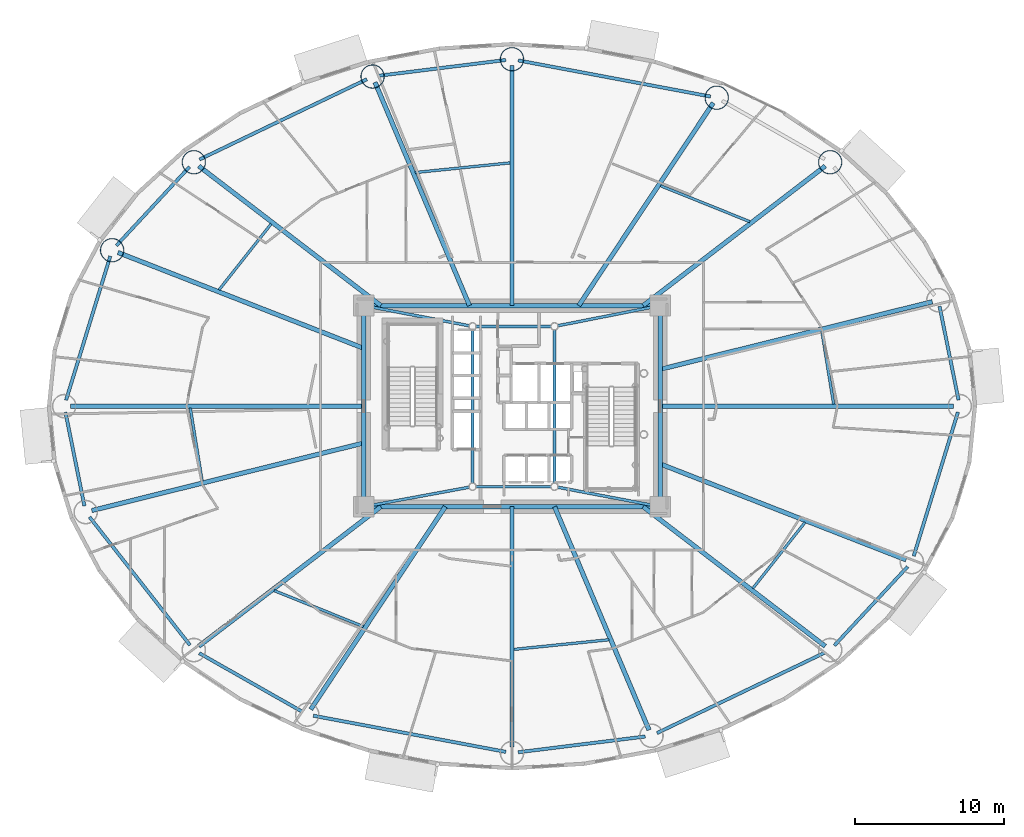
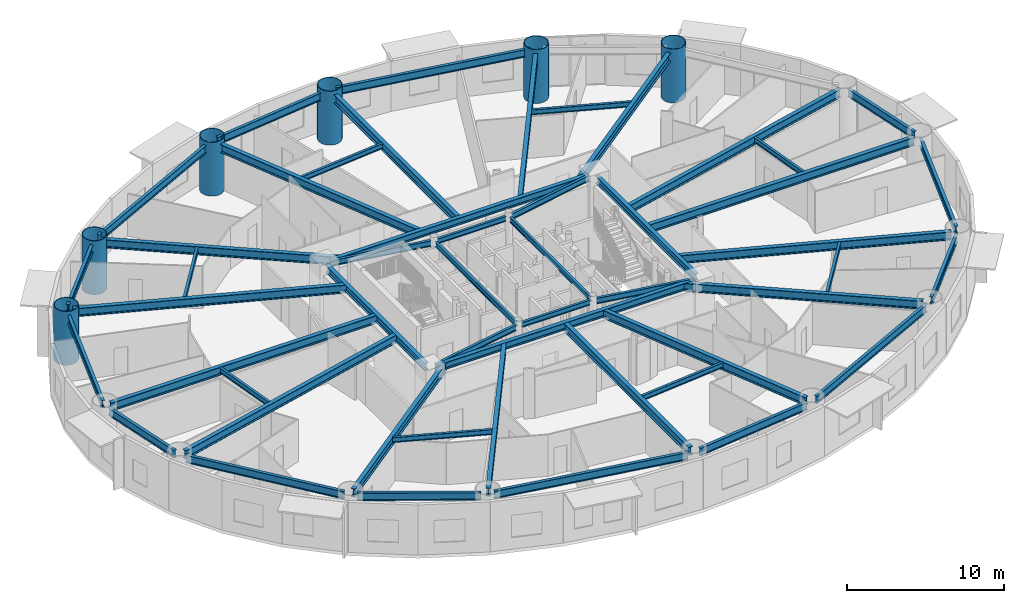
# One storey, part 3 of 21: 50 beams, 6 columns.
"""IFC4 building model written with IfcOpenShell, lengths in metres."""

from ifc_helpers import new_model, si_unit, direction, frame, origin, origin_2d, place, context, subcontext, project, spatial, hollow_circle, i_section, extrude, material, material_profile, profile_set, type_object, element, save


model = new_model("IFC4")

# Units and contexts
model_context = context("Model", 3, precision=1e-05, world=origin(), true_north=direction((0.0, 1.0)))
body_context = subcontext(model_context, "Body", "Model", "MODEL_VIEW")
ifc_project = project(units=[si_unit("LENGTHUNIT", "METRE"), si_unit("AREAUNIT", "SQUARE_METRE"), si_unit("VOLUMEUNIT", "CUBIC_METRE"), si_unit("PLANEANGLEUNIT", "RADIAN"), si_unit("MASSUNIT", "GRAM", prefix="KILO")], contexts=[model_context])

# Site, building, storey
site_placement = place(None, origin())
site = spatial("IfcSite", under=ifc_project, at=site_placement, CompositionType="ELEMENT")
building_placement = place(site_placement, origin())
building = spatial("IfcBuilding", under=site, at=building_placement, Name="Linh Dai School and Residence Tower", CompositionType="ELEMENT")
storey_placement = place(building_placement, frame((0.0, 0.0, 82.800048828125)))
storey = spatial("IfcBuildingStorey", under=building, at=storey_placement, Name="L19", CompositionType="ELEMENT", Elevation=82.800048828125)

# Columns
ifc_material = material(Name="Structural Steel S355JR", Category="steel")
ifc_material_profile_1 = material_profile(ifc_material, hollow_circle(Radius=0.800048828125, WallThickness=0.044921875, at=origin_2d()), Name="CHS 1600x45")
ifc_profile_set_1 = profile_set([ifc_material_profile_1], Name="Structural Steel S355JR")
column_type = type_object("IfcColumnType", Name="COL-MC2", PredefinedType="COLUMN", material=ifc_profile_set_1)
for number, where, z_axis, x_axis, name in (
    (1, (57.352783203125, 43.369140625, 0.0), (0.0, 0.0, 1.0), (1.0, 0.0, 0.0), "L19 Perimeter CFT Mega-Column MC03"),
    (2, (49.73828125, 47.69921875, 0.0), (0.0, 0.0, 1.0), (1.0, 0.0, 0.0), "L19 Perimeter CFT Mega-Column MC04"),
    (3, (36.0, 50.280029296875, 0.0), (0.0, 0.0, 1.0), (1.0, 0.0, 0.0), "L19 Perimeter CFT Mega-Column MC05"),
    (4, (26.642333984375, 49.119873046875, 0.0), (0.0, 0.0, 1.0), (1.0, 0.0, 0.0), "L19 Perimeter CFT Mega-Column MC06"),
    (5, (14.647216796875, 43.369140625, 0.0), (0.0, 0.0, 1.0), (1.0, 0.0, 0.0), "L19 Perimeter CFT Mega-Column MC07"),
    (6, (9.16455078125, 37.4638671875, 0.0), (0.0, 0.0, 1.0), (1.0, 0.0, 0.0), "L19 Perimeter CFT Mega-Column MC08"),
):
    element("IfcColumn", number, at=place(storey_placement, frame(where, z_axis=z_axis, x_axis=x_axis)), inside=storey, type_object=column_type, Name=name, PredefinedType="COLUMN", context=body_context, shape_type="SweptSolid", body=[
        extrude(hollow_circle(Radius=0.800048828125, WallThickness=0.044921875, at=origin_2d()), origin(), (0.0, 0.0, 1.0), 4.199951171875),
    ])

# Beams
ifc_material_profile_2 = material_profile(ifc_material, i_section(OverallWidth=0.219970703125, OverallDepth=0.60009765625, WebThickness=0.011962890625, FlangeThickness=0.01904296875, FilletRadius=0.02392578125, at=origin_2d()), Name="IPE 600")
ifc_profile_set_2 = profile_set([ifc_material_profile_2], Name="Structural Steel S355JR")
beam_type_1 = type_object("IfcBeamType", Name="BM-RB60", PredefinedType="BEAM", material=ifc_profile_set_2)
beam_1_placement = place(storey_placement, frame((65.966552734375, 27.41162109375, 3.599853515625), z_axis=(-0.198429171022, 0.980115230005, 0.0), x_axis=(-0.980115230005, -0.198429171022, 0.0)))
element("IfcBeam", 7, at=beam_1_placement, inside=storey, type_object=beam_type_1, Name="L19 Perimeter Elliptical Ring Beam 01", PredefinedType="BEAM", context=body_context, shape_type="SweptSolid", body=[
    extrude(i_section(OverallWidth=0.219970703125, OverallDepth=0.60009765625, WebThickness=0.011962890625, FlangeThickness=0.01904296875, FilletRadius=0.02392578125, at=origin_2d()), origin(), (0.0, 0.0, 1.0), 6.41259765625),
])
beam_2_placement = place(storey_placement, frame((49.32568359375, 47.776611328125, 3.599853515625), z_axis=(-0.982808389171, 0.184628465236, 0.0), x_axis=(-0.184628465236, -0.982808389171, 0.0)))
element("IfcBeam", 8, at=beam_2_placement, inside=storey, type_object=beam_type_1, Name="L19 Perimeter Elliptical Ring Beam 04", PredefinedType="BEAM", context=body_context, shape_type="SweptSolid", body=[
    extrude(i_section(OverallWidth=0.219970703125, OverallDepth=0.60009765625, WebThickness=0.011962890625, FlangeThickness=0.01904296875, FilletRadius=0.02392578125, at=origin_2d()), origin(), (0.0, 0.0, 1.0), 13.138671875),
])
beam_3_placement = place(storey_placement, frame((35.583251953125, 50.228271484375, 3.599853515625), z_axis=(-0.99240113372, -0.123044665842, 0.0), x_axis=(0.123044665842, -0.99240113372, 0.0)))
element("IfcBeam", 9, at=beam_3_placement, inside=storey, type_object=beam_type_1, Name="L19 Perimeter Elliptical Ring Beam 05", PredefinedType="BEAM", context=body_context, shape_type="SweptSolid", body=[
    extrude(i_section(OverallWidth=0.219970703125, OverallDepth=0.60009765625, WebThickness=0.011962890625, FlangeThickness=0.01904296875, FilletRadius=0.02392578125, at=origin_2d()), origin(), (0.0, 0.0, 1.0), 8.58935546875),
])
beam_4_placement = place(storey_placement, frame((26.263427734375, 48.938232421875, 3.599853515625), z_axis=(-0.901728693485, -0.432302398034, 0.0), x_axis=(0.432302398034, -0.901728693485, 0.0)))
element("IfcBeam", 10, at=beam_4_placement, inside=storey, type_object=beam_type_1, Name="L19 Perimeter Elliptical Ring Beam 06", PredefinedType="BEAM", context=body_context, shape_type="SweptSolid", body=[
    extrude(i_section(OverallWidth=0.219970703125, OverallDepth=0.60009765625, WebThickness=0.011962890625, FlangeThickness=0.01904296875, FilletRadius=0.02392578125, at=origin_2d()), origin(), (0.0, 0.0, 1.0), 12.462158203125),
])
beam_5_placement = place(storey_placement, frame((14.361572265625, 43.061279296875, 3.599853515625), z_axis=(-0.680408287194, -0.732833243458, 0.0), x_axis=(0.732833243458, -0.680408287194, 0.0)))
element("IfcBeam", 11, at=beam_5_placement, inside=storey, type_object=beam_type_1, Name="L19 Perimeter Elliptical Ring Beam 07", PredefinedType="BEAM", context=body_context, shape_type="SweptSolid", body=[
    extrude(i_section(OverallWidth=0.219970703125, OverallDepth=0.60009765625, WebThickness=0.011962890625, FlangeThickness=0.01904296875, FilletRadius=0.02392578125, at=origin_2d()), origin(), (0.0, 0.0, 1.0), 7.21826171875),
])
beam_6_placement = place(storey_placement, frame((9.041259765625, 37.062255859375, 3.599853515625), z_axis=(-0.293673329015, -0.95590584046, 0.0), x_axis=(0.95590584046, -0.293673329015, 0.0)))
element("IfcBeam", 12, at=beam_6_placement, inside=storey, type_object=beam_type_1, Name="L19 Perimeter Elliptical Ring Beam 08", PredefinedType="BEAM", context=body_context, shape_type="SweptSolid", body=[
    extrude(i_section(OverallWidth=0.219970703125, OverallDepth=0.60009765625, WebThickness=0.011962890625, FlangeThickness=0.01904296875, FilletRadius=0.02392578125, at=origin_2d()), origin(), (0.0, 0.0, 1.0), 10.1064453125),
])
beam_7_placement = place(storey_placement, frame((6.033447265625, 26.58837890625, 3.599853515625), z_axis=(0.198429171022, -0.980115230005, 0.0), x_axis=(0.980115230005, 0.198429171022, 0.0)))
element("IfcBeam", 13, at=beam_7_placement, inside=storey, type_object=beam_type_1, Name="L19 Perimeter Elliptical Ring Beam 09", PredefinedType="BEAM", context=body_context, shape_type="SweptSolid", body=[
    extrude(i_section(OverallWidth=0.219970703125, OverallDepth=0.60009765625, WebThickness=0.011962890625, FlangeThickness=0.01904296875, FilletRadius=0.02392578125, at=origin_2d()), origin(), (0.0, 0.0, 1.0), 6.41259765625),
])
beam_8_placement = place(storey_placement, frame((7.648193359375, 19.560791015625, 3.599853515625), z_axis=(0.616878670407, -0.787058260866, 0.0), x_axis=(0.787058260866, 0.616878670407, 0.0)))
element("IfcBeam", 14, at=beam_8_placement, inside=storey, type_object=beam_type_1, Name="L19 Perimeter Elliptical Ring Beam 10", PredefinedType="BEAM", context=body_context, shape_type="SweptSolid", body=[
    extrude(i_section(OverallWidth=0.219970703125, OverallDepth=0.60009765625, WebThickness=0.011962890625, FlangeThickness=0.01904296875, FilletRadius=0.02392578125, at=origin_2d()), origin(), (0.0, 0.0, 1.0), 10.926025390625),
])
beam_9_placement = place(storey_placement, frame((15.012451171875, 10.42333984375, 3.599853515625), z_axis=(0.869271416992, -0.494335112653, 0.0), x_axis=(0.494335112653, 0.869271416992, 0.0)))
element("IfcBeam", 15, at=beam_9_placement, inside=storey, type_object=beam_type_1, Name="L19 Perimeter Elliptical Ring Beam 11", PredefinedType="BEAM", context=body_context, shape_type="SweptSolid", body=[
    extrude(i_section(OverallWidth=0.219970703125, OverallDepth=0.60009765625, WebThickness=0.011962890625, FlangeThickness=0.01904296875, FilletRadius=0.02392578125, at=origin_2d()), origin(), (0.0, 0.0, 1.0), 7.91943359375),
])
beam_10_placement = place(storey_placement, frame((22.67431640625, 6.223388671875, 3.599853515625), z_axis=(0.982808389171, -0.184628465236, 0.0), x_axis=(0.184628465236, 0.982808389171, 0.0)))
element("IfcBeam", 16, at=beam_10_placement, inside=storey, type_object=beam_type_1, Name="L19 Perimeter Elliptical Ring Beam 12", PredefinedType="BEAM", context=body_context, shape_type="SweptSolid", body=[
    extrude(i_section(OverallWidth=0.219970703125, OverallDepth=0.60009765625, WebThickness=0.011962890625, FlangeThickness=0.01904296875, FilletRadius=0.02392578125, at=origin_2d()), origin(), (0.0, 0.0, 1.0), 13.138671875),
])
beam_11_placement = place(storey_placement, frame((36.416748046875, 3.771728515625, 3.599853515625), z_axis=(0.99240113372, 0.123044665842, 0.0), x_axis=(-0.123044665842, 0.99240113372, 0.0)))
element("IfcBeam", 17, at=beam_11_placement, inside=storey, type_object=beam_type_1, Name="L19 Perimeter Elliptical Ring Beam 13", PredefinedType="BEAM", context=body_context, shape_type="SweptSolid", body=[
    extrude(i_section(OverallWidth=0.219970703125, OverallDepth=0.60009765625, WebThickness=0.011962890625, FlangeThickness=0.01904296875, FilletRadius=0.02392578125, at=origin_2d()), origin(), (0.0, 0.0, 1.0), 8.58935546875),
])
beam_12_placement = place(storey_placement, frame((45.736572265625, 5.061767578125, 3.599853515625), z_axis=(0.901728693485, 0.432302398034, 0.0), x_axis=(-0.432302398034, 0.901728693485, 0.0)))
element("IfcBeam", 18, at=beam_12_placement, inside=storey, type_object=beam_type_1, Name="L19 Perimeter Elliptical Ring Beam 14", PredefinedType="BEAM", context=body_context, shape_type="SweptSolid", body=[
    extrude(i_section(OverallWidth=0.219970703125, OverallDepth=0.60009765625, WebThickness=0.011962890625, FlangeThickness=0.01904296875, FilletRadius=0.02392578125, at=origin_2d()), origin(), (0.0, 0.0, 1.0), 12.462158203125),
])
beam_13_placement = place(storey_placement, frame((57.638427734375, 10.938720703125, 3.599853515625), z_axis=(0.680408287194, 0.732833243458, 0.0), x_axis=(-0.732833243458, 0.680408287194, 0.0)))
element("IfcBeam", 19, at=beam_13_placement, inside=storey, type_object=beam_type_1, Name="L19 Perimeter Elliptical Ring Beam 15", PredefinedType="BEAM", context=body_context, shape_type="SweptSolid", body=[
    extrude(i_section(OverallWidth=0.219970703125, OverallDepth=0.60009765625, WebThickness=0.011962890625, FlangeThickness=0.01904296875, FilletRadius=0.02392578125, at=origin_2d()), origin(), (0.0, 0.0, 1.0), 7.21826171875),
])
beam_14_placement = place(storey_placement, frame((62.958740234375, 16.937744140625, 3.599853515625), z_axis=(0.293673329015, 0.95590584046, 0.0), x_axis=(-0.95590584046, 0.293673329015, 0.0)))
element("IfcBeam", 20, at=beam_14_placement, inside=storey, type_object=beam_type_1, Name="L19 Perimeter Elliptical Ring Beam 16", PredefinedType="BEAM", context=body_context, shape_type="SweptSolid", body=[
    extrude(i_section(OverallWidth=0.219970703125, OverallDepth=0.60009765625, WebThickness=0.011962890625, FlangeThickness=0.01904296875, FilletRadius=0.02392578125, at=origin_2d()), origin(), (0.0, 0.0, 1.0), 10.1064453125),
])
ifc_material_profile_3 = material_profile(ifc_material, i_section(OverallWidth=0.300048828125, OverallDepth=0.550048828125, WebThickness=0.014892578125, FlangeThickness=0.029052734375, FilletRadius=0.027099609375, at=origin_2d()), Name="HEB 550")
ifc_profile_set_3 = profile_set([ifc_material_profile_3], Name="Structural Steel S355JR")
beam_type_2 = type_object("IfcBeamType", Name="BM-RG55", PredefinedType="BEAM", material=ifc_profile_set_3)
beam_15_placement = place(storey_placement, frame((26.469970703125, 20.25, 3.625), z_axis=(1.0, 0.0, 0.0), x_axis=(0.0, 1.0, 0.0)))
element("IfcBeam", 21, at=beam_15_placement, inside=storey, type_object=beam_type_2, Name="L19 Core Perimeter Coupling Girder 1", PredefinedType="BEAM", context=body_context, shape_type="SweptSolid", body=[
    extrude(i_section(OverallWidth=0.300048828125, OverallDepth=0.550048828125, WebThickness=0.014892578125, FlangeThickness=0.029052734375, FilletRadius=0.027099609375, at=origin_2d()), origin(), (0.0, 0.0, 1.0), 19.06005859375),
])
beam_16_placement = place(storey_placement, frame((45.949951171875, 20.669921875, 3.625), z_axis=(0.0, 1.0, 0.0), x_axis=(-1.0, 0.0, 0.0)))
element("IfcBeam", 22, at=beam_16_placement, inside=storey, type_object=beam_type_2, Name="L19 Core Perimeter Coupling Girder 2", PredefinedType="BEAM", context=body_context, shape_type="SweptSolid", body=[
    extrude(i_section(OverallWidth=0.300048828125, OverallDepth=0.550048828125, WebThickness=0.014892578125, FlangeThickness=0.029052734375, FilletRadius=0.027099609375, at=origin_2d()), origin(), (0.0, 0.0, 1.0), 12.66015625),
])
beam_17_placement = place(storey_placement, frame((45.530029296875, 33.75, 3.625), z_axis=(-1.0, 0.0, 0.0), x_axis=(0.0, -1.0, 0.0)))
element("IfcBeam", 23, at=beam_17_placement, inside=storey, type_object=beam_type_2, Name="L19 Core Perimeter Coupling Girder 3", PredefinedType="BEAM", context=body_context, shape_type="SweptSolid", body=[
    extrude(i_section(OverallWidth=0.300048828125, OverallDepth=0.550048828125, WebThickness=0.014892578125, FlangeThickness=0.029052734375, FilletRadius=0.027099609375, at=origin_2d()), origin(), (0.0, 0.0, 1.0), 19.06005859375),
])
beam_18_placement = place(storey_placement, frame((26.050048828125, 33.330078125, 3.625), z_axis=(0.0, -1.0, 0.0), x_axis=(1.0, 0.0, 0.0)))
element("IfcBeam", 24, at=beam_18_placement, inside=storey, type_object=beam_type_2, Name="L19 Core Perimeter Coupling Girder 4", PredefinedType="BEAM", context=body_context, shape_type="SweptSolid", body=[
    extrude(i_section(OverallWidth=0.300048828125, OverallDepth=0.550048828125, WebThickness=0.014892578125, FlangeThickness=0.029052734375, FilletRadius=0.027099609375, at=origin_2d()), origin(), (0.0, 0.0, 1.0), 12.66015625),
])
ifc_material_profile_4 = material_profile(ifc_material, i_section(OverallWidth=0.300048828125, OverallDepth=0.64990234375, WebThickness=0.01611328125, FlangeThickness=0.031005859375, FilletRadius=0.027099609375, at=origin_2d()), Name="HEB 650")
ifc_profile_set_4 = profile_set([ifc_material_profile_4], Name="Structural Steel S355JR")
beam_type_3 = type_object("IfcBeamType", Name="BM-RG65", PredefinedType="BEAM", material=ifc_profile_set_4)
beam_19_placement = place(storey_placement, frame((45.949951171875, 27.0, 3.574951171875), z_axis=(1.0, 0.0, 0.0), x_axis=(0.0, 1.0, 0.0)))
element("IfcBeam", 25, at=beam_19_placement, inside=storey, type_object=beam_type_3, Name="L19 Primary Radial Floor Girder 01", PredefinedType="BEAM", context=body_context, shape_type="SweptSolid", body=[
    extrude(i_section(OverallWidth=0.300048828125, OverallDepth=0.64990234375, WebThickness=0.01611328125, FlangeThickness=0.031005859375, FilletRadius=0.027099609375, at=origin_2d()), origin(), (0.0, 0.0, 1.0), 19.679931640625),
])
beam_20_placement = place(storey_placement, frame((45.949951171875, 29.47216796875, 3.574951171875), z_axis=(0.970493481328, 0.241127357843, 0.0), x_axis=(-0.241127357843, 0.970493481328, 0.0)))
element("IfcBeam", 26, at=beam_20_placement, inside=storey, type_object=beam_type_3, Name="L19 Primary Radial Floor Girder 02", PredefinedType="BEAM", context=body_context, shape_type="SweptSolid", body=[
    extrude(i_section(OverallWidth=0.300048828125, OverallDepth=0.64990234375, WebThickness=0.01611328125, FlangeThickness=0.031005859375, FilletRadius=0.027099609375, at=origin_2d()), origin(), (0.0, 0.0, 1.0), 18.80810546875),
])
beam_21_placement = place(storey_placement, frame((44.804931640625, 33.75, 3.574951171875), z_axis=(0.793637764155, 0.608390581212, 0.0), x_axis=(-0.608390581212, 0.793637764155, 0.0)))
element("IfcBeam", 27, at=beam_21_placement, inside=storey, type_object=beam_type_3, Name="L19 Primary Radial Floor Girder 03", PredefinedType="BEAM", context=body_context, shape_type="SweptSolid", body=[
    extrude(i_section(OverallWidth=0.300048828125, OverallDepth=0.64990234375, WebThickness=0.01611328125, FlangeThickness=0.031005859375, FilletRadius=0.027099609375, at=origin_2d()), origin(), (0.0, 0.0, 1.0), 15.390625),
])
beam_22_placement = place(storey_placement, frame((40.47998046875, 33.75, 3.574951171875), z_axis=(0.55300421354, 0.833178456158, 0.0), x_axis=(-0.833178456158, 0.55300421354, 0.0)))
element("IfcBeam", 28, at=beam_22_placement, inside=storey, type_object=beam_type_3, Name="L19 Primary Radial Floor Girder 04", PredefinedType="BEAM", context=body_context, shape_type="SweptSolid", body=[
    extrude(i_section(OverallWidth=0.300048828125, OverallDepth=0.64990234375, WebThickness=0.01611328125, FlangeThickness=0.031005859375, FilletRadius=0.027099609375, at=origin_2d()), origin(), (0.0, 0.0, 1.0), 16.322021484375),
])
beam_23_placement = place(storey_placement, frame((36.0, 33.75, 3.574951171875), z_axis=(0.0, 1.0, 0.0), x_axis=(-1.0, 0.0, 0.0)))
element("IfcBeam", 29, at=beam_23_placement, inside=storey, type_object=beam_type_3, Name="L19 Primary Radial Floor Girder 05", PredefinedType="BEAM", context=body_context, shape_type="SweptSolid", body=[
    extrude(i_section(OverallWidth=0.300048828125, OverallDepth=0.64990234375, WebThickness=0.01611328125, FlangeThickness=0.031005859375, FilletRadius=0.027099609375, at=origin_2d()), origin(), (0.0, 0.0, 1.0), 16.110107421875),
])
beam_24_placement = place(storey_placement, frame((33.14453125, 33.75, 3.574951171875), z_axis=(-0.38962432485, 0.920973878829, 0.0), x_axis=(-0.920973878829, -0.38962432485, 0.0)))
element("IfcBeam", 30, at=beam_24_placement, inside=storey, type_object=beam_type_3, Name="L19 Primary Radial Floor Girder 06", PredefinedType="BEAM", context=body_context, shape_type="SweptSolid", body=[
    extrude(i_section(OverallWidth=0.300048828125, OverallDepth=0.64990234375, WebThickness=0.01611328125, FlangeThickness=0.031005859375, FilletRadius=0.027099609375, at=origin_2d()), origin(), (0.0, 0.0, 1.0), 16.2685546875),
])
beam_25_placement = place(storey_placement, frame((27.195068359375, 33.75, 3.574951171875), z_axis=(-0.793637764155, 0.608390581212, 0.0), x_axis=(-0.608390581212, -0.793637764155, 0.0)))
element("IfcBeam", 31, at=beam_25_placement, inside=storey, type_object=beam_type_3, Name="L19 Primary Radial Floor Girder 07", PredefinedType="BEAM", context=body_context, shape_type="SweptSolid", body=[
    extrude(i_section(OverallWidth=0.300048828125, OverallDepth=0.64990234375, WebThickness=0.01611328125, FlangeThickness=0.031005859375, FilletRadius=0.027099609375, at=origin_2d()), origin(), (0.0, 0.0, 1.0), 15.390625),
])
beam_26_placement = place(storey_placement, frame((26.050048828125, 30.879638671875, 3.574951171875), z_axis=(-0.93167509369, 0.363292609061, 0.0), x_axis=(-0.363292609061, -0.93167509369, 0.0)))
element("IfcBeam", 32, at=beam_26_placement, inside=storey, type_object=beam_type_3, Name="L19 Primary Radial Floor Girder 08", PredefinedType="BEAM", context=body_context, shape_type="SweptSolid", body=[
    extrude(i_section(OverallWidth=0.300048828125, OverallDepth=0.64990234375, WebThickness=0.01611328125, FlangeThickness=0.031005859375, FilletRadius=0.027099609375, at=origin_2d()), origin(), (0.0, 0.0, 1.0), 17.703857421875),
])
beam_27_placement = place(storey_placement, frame((26.050048828125, 27.0, 3.574951171875), z_axis=(-1.0, 0.0, 0.0), x_axis=(0.0, -1.0, 0.0)))
element("IfcBeam", 33, at=beam_27_placement, inside=storey, type_object=beam_type_3, Name="L19 Primary Radial Floor Girder 09", PredefinedType="BEAM", context=body_context, shape_type="SweptSolid", body=[
    extrude(i_section(OverallWidth=0.300048828125, OverallDepth=0.64990234375, WebThickness=0.01611328125, FlangeThickness=0.031005859375, FilletRadius=0.027099609375, at=origin_2d()), origin(), (0.0, 0.0, 1.0), 19.679931640625),
])
beam_28_placement = place(storey_placement, frame((26.050048828125, 24.52783203125, 3.574951171875), z_axis=(-0.970493481328, -0.241127357843, 0.0), x_axis=(0.241127357843, -0.970493481328, 0.0)))
element("IfcBeam", 34, at=beam_28_placement, inside=storey, type_object=beam_type_3, Name="L19 Primary Radial Floor Girder 10", PredefinedType="BEAM", context=body_context, shape_type="SweptSolid", body=[
    extrude(i_section(OverallWidth=0.300048828125, OverallDepth=0.64990234375, WebThickness=0.01611328125, FlangeThickness=0.031005859375, FilletRadius=0.027099609375, at=origin_2d()), origin(), (0.0, 0.0, 1.0), 18.80810546875),
])
beam_29_placement = place(storey_placement, frame((27.195068359375, 20.25, 3.574951171875), z_axis=(-0.793637764155, -0.608390581212, 0.0), x_axis=(0.608390581212, -0.793637764155, 0.0)))
element("IfcBeam", 35, at=beam_29_placement, inside=storey, type_object=beam_type_3, Name="L19 Primary Radial Floor Girder 11", PredefinedType="BEAM", context=body_context, shape_type="SweptSolid", body=[
    extrude(i_section(OverallWidth=0.300048828125, OverallDepth=0.64990234375, WebThickness=0.01611328125, FlangeThickness=0.031005859375, FilletRadius=0.027099609375, at=origin_2d()), origin(), (0.0, 0.0, 1.0), 15.390625),
])
beam_30_placement = place(storey_placement, frame((31.52001953125, 20.25, 3.574951171875), z_axis=(-0.55300421354, -0.833178456158, 0.0), x_axis=(0.833178456158, -0.55300421354, 0.0)))
element("IfcBeam", 36, at=beam_30_placement, inside=storey, type_object=beam_type_3, Name="L19 Primary Radial Floor Girder 12", PredefinedType="BEAM", context=body_context, shape_type="SweptSolid", body=[
    extrude(i_section(OverallWidth=0.300048828125, OverallDepth=0.64990234375, WebThickness=0.01611328125, FlangeThickness=0.031005859375, FilletRadius=0.027099609375, at=origin_2d()), origin(), (0.0, 0.0, 1.0), 16.322021484375),
])
beam_31_placement = place(storey_placement, frame((36.0, 20.25, 3.574951171875), z_axis=(0.0, -1.0, 0.0), x_axis=(1.0, 0.0, 0.0)))
element("IfcBeam", 37, at=beam_31_placement, inside=storey, type_object=beam_type_3, Name="L19 Primary Radial Floor Girder 13", PredefinedType="BEAM", context=body_context, shape_type="SweptSolid", body=[
    extrude(i_section(OverallWidth=0.300048828125, OverallDepth=0.64990234375, WebThickness=0.01611328125, FlangeThickness=0.031005859375, FilletRadius=0.027099609375, at=origin_2d()), origin(), (0.0, 0.0, 1.0), 16.110107421875),
])
beam_32_placement = place(storey_placement, frame((38.85546875, 20.25, 3.574951171875), z_axis=(0.38962432485, -0.920973878829, 0.0), x_axis=(0.920973878829, 0.38962432485, 0.0)))
element("IfcBeam", 38, at=beam_32_placement, inside=storey, type_object=beam_type_3, Name="L19 Primary Radial Floor Girder 14", PredefinedType="BEAM", context=body_context, shape_type="SweptSolid", body=[
    extrude(i_section(OverallWidth=0.300048828125, OverallDepth=0.64990234375, WebThickness=0.01611328125, FlangeThickness=0.031005859375, FilletRadius=0.027099609375, at=origin_2d()), origin(), (0.0, 0.0, 1.0), 16.2685546875),
])
beam_33_placement = place(storey_placement, frame((44.804931640625, 20.25, 3.574951171875), z_axis=(0.793637764155, -0.608390581212, 0.0), x_axis=(0.608390581212, 0.793637764155, 0.0)))
element("IfcBeam", 39, at=beam_33_placement, inside=storey, type_object=beam_type_3, Name="L19 Primary Radial Floor Girder 15", PredefinedType="BEAM", context=body_context, shape_type="SweptSolid", body=[
    extrude(i_section(OverallWidth=0.300048828125, OverallDepth=0.64990234375, WebThickness=0.01611328125, FlangeThickness=0.031005859375, FilletRadius=0.027099609375, at=origin_2d()), origin(), (0.0, 0.0, 1.0), 15.390625),
])
beam_34_placement = place(storey_placement, frame((45.949951171875, 23.120361328125, 3.574951171875), z_axis=(0.93167509369, -0.363292609061, 0.0), x_axis=(0.363292609061, 0.93167509369, 0.0)))
element("IfcBeam", 40, at=beam_34_placement, inside=storey, type_object=beam_type_3, Name="L19 Primary Radial Floor Girder 16", PredefinedType="BEAM", context=body_context, shape_type="SweptSolid", body=[
    extrude(i_section(OverallWidth=0.300048828125, OverallDepth=0.64990234375, WebThickness=0.01611328125, FlangeThickness=0.031005859375, FilletRadius=0.027099609375, at=origin_2d()), origin(), (0.0, 0.0, 1.0), 17.703857421875),
])
ifc_material_profile_5 = material_profile(ifc_material, i_section(OverallWidth=0.179931640625, OverallDepth=0.39990234375, WebThickness=0.008544921875, FlangeThickness=0.013427734375, FilletRadius=0.02099609375, at=origin_2d()), Name="IPE 400")
ifc_profile_set_5 = profile_set([ifc_material_profile_5], Name="Structural Steel S355JR")
beam_type_4 = type_object("IfcBeamType", Name="BM-SB40", PredefinedType="BEAM", material=ifc_profile_set_5)
beam_35_placement = place(storey_placement, frame((33.573974609375, 21.60009765625, 3.699951171875), z_axis=(1.0, 0.0, 0.0), x_axis=(0.0, 1.0, 0.0)))
element("IfcBeam", 41, at=beam_35_placement, inside=storey, type_object=beam_type_4, Name="L19 Core Mast Pier Tie Beam 1", PredefinedType="BEAM", context=body_context, shape_type="SweptSolid", body=[
    extrude(i_section(OverallWidth=0.179931640625, OverallDepth=0.39990234375, WebThickness=0.008544921875, FlangeThickness=0.013427734375, FilletRadius=0.02099609375, at=origin_2d()), origin(), (0.0, 0.0, 1.0), 5.052001953125),
])
beam_36_placement = place(storey_placement, frame((38.85009765625, 21.823974609375, 3.699951171875), z_axis=(0.0, 1.0, 0.0), x_axis=(-1.0, 0.0, 0.0)))
element("IfcBeam", 42, at=beam_36_placement, inside=storey, type_object=beam_type_4, Name="L19 Core Mast Pier Tie Beam 2", PredefinedType="BEAM", context=body_context, shape_type="SweptSolid", body=[
    extrude(i_section(OverallWidth=0.179931640625, OverallDepth=0.39990234375, WebThickness=0.008544921875, FlangeThickness=0.013427734375, FilletRadius=0.02099609375, at=origin_2d()), origin(), (0.0, 0.0, 1.0), 10.302001953125),
])
beam_37_placement = place(storey_placement, frame((38.6259765625, 32.35009765625, 3.699951171875), z_axis=(-1.0, 0.0, 0.0), x_axis=(0.0, -1.0, 0.0)))
element("IfcBeam", 43, at=beam_37_placement, inside=storey, type_object=beam_type_4, Name="L19 Core Mast Pier Tie Beam 3", PredefinedType="BEAM", context=body_context, shape_type="SweptSolid", body=[
    extrude(i_section(OverallWidth=0.179931640625, OverallDepth=0.39990234375, WebThickness=0.008544921875, FlangeThickness=0.013427734375, FilletRadius=0.02099609375, at=origin_2d()), origin(), (0.0, 0.0, 1.0), 5.052001953125),
])
beam_38_placement = place(storey_placement, frame((33.35009765625, 32.1259765625, 3.699951171875), z_axis=(0.0, -1.0, 0.0), x_axis=(1.0, 0.0, 0.0)))
element("IfcBeam", 44, at=beam_38_placement, inside=storey, type_object=beam_type_4, Name="L19 Core Mast Pier Tie Beam 4", PredefinedType="BEAM", context=body_context, shape_type="SweptSolid", body=[
    extrude(i_section(OverallWidth=0.179931640625, OverallDepth=0.39990234375, WebThickness=0.008544921875, FlangeThickness=0.013427734375, FilletRadius=0.02099609375, at=origin_2d()), origin(), (0.0, 0.0, 1.0), 10.302001953125),
])
beam_39_placement = place(storey_placement, frame((57.587158203125, 27.12841796875, 3.699951171875), z_axis=(-0.159655745546, 0.987172752316, 0.0), x_axis=(-0.987172752316, -0.159655745546, 0.0)))
element("IfcBeam", 45, at=beam_39_placement, inside=storey, type_object=beam_type_4, Name="L19 Secondary Circumferential Floor Beam 01", PredefinedType="BEAM", context=body_context, shape_type="SweptSolid", body=[
    extrude(i_section(OverallWidth=0.179931640625, OverallDepth=0.39990234375, WebThickness=0.008544921875, FlangeThickness=0.013427734375, FilletRadius=0.02099609375, at=origin_2d()), origin(), (0.0, 0.0, 1.0), 4.96826171875),
])
beam_40_placement = place(storey_placement, frame((51.962158203125, 39.377685546875, 3.699951171875), z_axis=(-0.927532778422, 0.3737418159, 0.0), x_axis=(-0.3737418159, -0.927532778422, 0.0)))
element("IfcBeam", 46, at=beam_40_placement, inside=storey, type_object=beam_type_4, Name="L19 Secondary Circumferential Floor Beam 02", PredefinedType="BEAM", context=body_context, shape_type="SweptSolid", body=[
    extrude(i_section(OverallWidth=0.179931640625, OverallDepth=0.39990234375, WebThickness=0.008544921875, FlangeThickness=0.013427734375, FilletRadius=0.02099609375, at=origin_2d()), origin(), (0.0, 0.0, 1.0), 6.459716796875),
])
beam_41_placement = place(storey_placement, frame((35.87060546875, 43.32421875, 3.699951171875), z_axis=(-0.994886521003, -0.100999061019, 0.0), x_axis=(0.100999061019, -0.994886521003, 0.0)))
element("IfcBeam", 47, at=beam_41_placement, inside=storey, type_object=beam_type_4, Name="L19 Secondary Circumferential Floor Beam 03", PredefinedType="BEAM", context=body_context, shape_type="SweptSolid", body=[
    extrude(i_section(OverallWidth=0.179931640625, OverallDepth=0.39990234375, WebThickness=0.008544921875, FlangeThickness=0.013427734375, FilletRadius=0.02099609375, at=origin_2d()), origin(), (0.0, 0.0, 1.0), 6.40087890625),
])
beam_42_placement = place(storey_placement, frame((19.836669921875, 39.22705078125, 3.699951171875), z_axis=(-0.620205247605, -0.78443957756, 0.0), x_axis=(0.78443957756, -0.620205247605, 0.0)))
element("IfcBeam", 48, at=beam_42_placement, inside=storey, type_object=beam_type_4, Name="L19 Secondary Circumferential Floor Beam 04", PredefinedType="BEAM", context=body_context, shape_type="SweptSolid", body=[
    extrude(i_section(OverallWidth=0.179931640625, OverallDepth=0.39990234375, WebThickness=0.008544921875, FlangeThickness=0.013427734375, FilletRadius=0.02099609375, at=origin_2d()), origin(), (0.0, 0.0, 1.0), 5.642822265625),
])
beam_43_placement = place(storey_placement, frame((14.412841796875, 26.87158203125, 3.699951171875), z_axis=(0.159655745546, -0.987172752316, 0.0), x_axis=(0.987172752316, 0.159655745546, 0.0)))
element("IfcBeam", 49, at=beam_43_placement, inside=storey, type_object=beam_type_4, Name="L19 Secondary Circumferential Floor Beam 05", PredefinedType="BEAM", context=body_context, shape_type="SweptSolid", body=[
    extrude(i_section(OverallWidth=0.179931640625, OverallDepth=0.39990234375, WebThickness=0.008544921875, FlangeThickness=0.013427734375, FilletRadius=0.02099609375, at=origin_2d()), origin(), (0.0, 0.0, 1.0), 4.96826171875),
])
beam_44_placement = place(storey_placement, frame((20.037841796875, 14.622314453125, 3.699951171875), z_axis=(0.927532778422, -0.3737418159, 0.0), x_axis=(0.3737418159, 0.927532778422, 0.0)))
element("IfcBeam", 50, at=beam_44_placement, inside=storey, type_object=beam_type_4, Name="L19 Secondary Circumferential Floor Beam 06", PredefinedType="BEAM", context=body_context, shape_type="SweptSolid", body=[
    extrude(i_section(OverallWidth=0.179931640625, OverallDepth=0.39990234375, WebThickness=0.008544921875, FlangeThickness=0.013427734375, FilletRadius=0.02099609375, at=origin_2d()), origin(), (0.0, 0.0, 1.0), 6.459716796875),
])
beam_45_placement = place(storey_placement, frame((36.12939453125, 10.67578125, 3.699951171875), z_axis=(0.994886521003, 0.100999061019, 0.0), x_axis=(-0.100999061019, 0.994886521003, 0.0)))
element("IfcBeam", 51, at=beam_45_placement, inside=storey, type_object=beam_type_4, Name="L19 Secondary Circumferential Floor Beam 07", PredefinedType="BEAM", context=body_context, shape_type="SweptSolid", body=[
    extrude(i_section(OverallWidth=0.179931640625, OverallDepth=0.39990234375, WebThickness=0.008544921875, FlangeThickness=0.013427734375, FilletRadius=0.02099609375, at=origin_2d()), origin(), (0.0, 0.0, 1.0), 6.40087890625),
])
beam_46_placement = place(storey_placement, frame((52.163330078125, 14.77294921875, 3.699951171875), z_axis=(0.620205247605, 0.78443957756, 0.0), x_axis=(-0.78443957756, 0.620205247605, 0.0)))
element("IfcBeam", 52, at=beam_46_placement, inside=storey, type_object=beam_type_4, Name="L19 Secondary Circumferential Floor Beam 08", PredefinedType="BEAM", context=body_context, shape_type="SweptSolid", body=[
    extrude(i_section(OverallWidth=0.179931640625, OverallDepth=0.39990234375, WebThickness=0.008544921875, FlangeThickness=0.013427734375, FilletRadius=0.02099609375, at=origin_2d()), origin(), (0.0, 0.0, 1.0), 5.642822265625),
])
ifc_material_profile_6 = material_profile(ifc_material, i_section(OverallWidth=0.18994140625, OverallDepth=0.449951171875, WebThickness=0.009521484375, FlangeThickness=0.0146484375, FilletRadius=0.02099609375, at=origin_2d()), Name="IPE 450")
ifc_profile_set_6 = profile_set([ifc_material_profile_6], Name="Structural Steel S355JR")
beam_type_5 = type_object("IfcBeamType", Name="BM-SB45", PredefinedType="BEAM", material=ifc_profile_set_6)
beam_47_placement = place(storey_placement, frame((26.462890625, 20.326416015625, 3.675048828125), z_axis=(0.983326152819, 0.18185070025, 0.0), x_axis=(-0.18185070025, 0.983326152819, 0.0)))
element("IfcBeam", 53, at=beam_47_placement, inside=storey, type_object=beam_type_5, Name="L19 Core Corner-to-Mast Pier Beam 1", PredefinedType="BEAM", context=body_context, shape_type="SweptSolid", body=[
    extrude(i_section(OverallWidth=0.18994140625, OverallDepth=0.449951171875, WebThickness=0.009521484375, FlangeThickness=0.0146484375, FilletRadius=0.02099609375, at=origin_2d()), origin(), (0.0, 0.0, 1.0), 6.77978515625),
])
beam_48_placement = place(storey_placement, frame((45.537353515625, 20.328369140625, 3.675048828125), z_axis=(-0.982397918823, 0.186800238471, 0.0), x_axis=(-0.186800238471, -0.982397918823, 0.0)))
element("IfcBeam", 54, at=beam_48_placement, inside=storey, type_object=beam_type_5, Name="L19 Core Corner-to-Mast Pier Beam 2", PredefinedType="BEAM", context=body_context, shape_type="SweptSolid", body=[
    extrude(i_section(OverallWidth=0.18994140625, OverallDepth=0.449951171875, WebThickness=0.009521484375, FlangeThickness=0.0146484375, FilletRadius=0.02099609375, at=origin_2d()), origin(), (0.0, 0.0, 1.0), 6.583251953125),
])
beam_49_placement = place(storey_placement, frame((45.537841796875, 33.668701171875, 3.675048828125), z_axis=(-0.981108354988, -0.193459028666, 0.0), x_axis=(0.193459028666, -0.981108354988, 0.0)))
element("IfcBeam", 55, at=beam_49_placement, inside=storey, type_object=beam_type_5, Name="L19 Core Corner-to-Mast Pier Beam 3", PredefinedType="BEAM", context=body_context, shape_type="SweptSolid", body=[
    extrude(i_section(OverallWidth=0.18994140625, OverallDepth=0.449951171875, WebThickness=0.009521484375, FlangeThickness=0.0146484375, FilletRadius=0.02099609375, at=origin_2d()), origin(), (0.0, 0.0, 1.0), 6.592529296875),
])
beam_50_placement = place(storey_placement, frame((26.46240234375, 33.6708984375, 3.675048828125), z_axis=(0.982100456787, -0.188357884832, 0.0), x_axis=(0.188357884832, 0.982100456787, 0.0)))
element("IfcBeam", 56, at=beam_50_placement, inside=storey, type_object=beam_type_5, Name="L19 Core Corner-to-Mast Pier Beam 4", PredefinedType="BEAM", context=body_context, shape_type="SweptSolid", body=[
    extrude(i_section(OverallWidth=0.18994140625, OverallDepth=0.449951171875, WebThickness=0.009521484375, FlangeThickness=0.0146484375, FilletRadius=0.02099609375, at=origin_2d()), origin(), (0.0, 0.0, 1.0), 6.789306640625),
])

save(model, "model.ifc")
